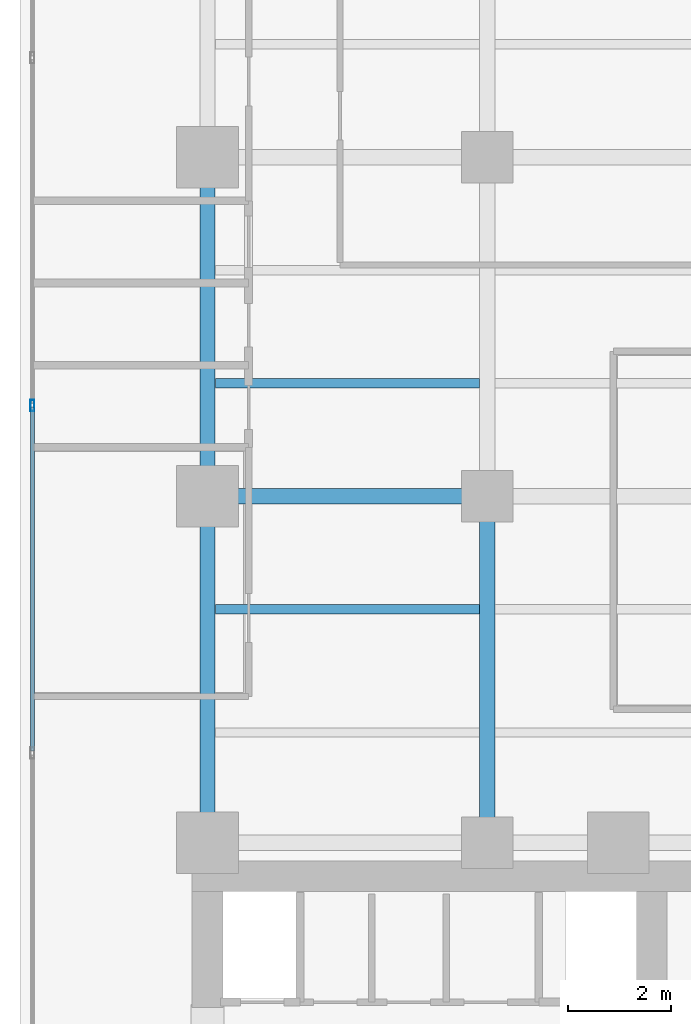
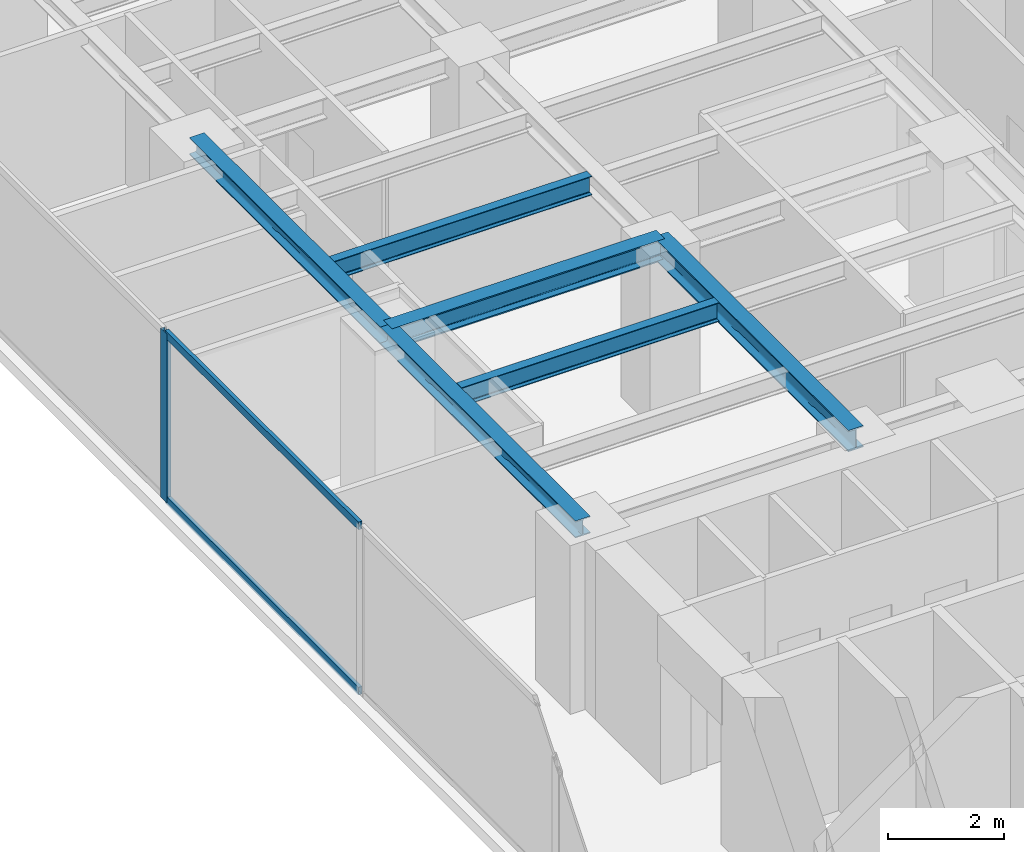
# One storey, part 7 of 24: 6 beams, 3 members, 1 element without a shape of its own.
"""IFC4 building model written with IfcOpenShell, lengths in metres."""

from ifc_helpers import new_model, si_unit, direction, frame, origin, origin_with_axes, origin_2d, place, context, subcontext, project, spatial, hollow_rectangle, i_section, extrude, source, transform, mapped, material, layer, layer_set, material_profile, profile_set, type_object, element, aggregate, save


model = new_model("IFC4")

# Units and contexts
model_context = context("Model", 3, precision=1e-05, world=origin(), true_north=direction((0.0, 1.0)))
body_context = subcontext(model_context, "Body", "Model", "MODEL_VIEW")
ifc_project = project(units=[si_unit("LENGTHUNIT", "METRE"), si_unit("AREAUNIT", "SQUARE_METRE"), si_unit("VOLUMEUNIT", "CUBIC_METRE"), si_unit("PLANEANGLEUNIT", "RADIAN"), si_unit("MASSUNIT", "GRAM", prefix="KILO")], contexts=[model_context])

# Site, building, storey
site_placement = place(None, origin())
site = spatial("IfcSite", under=ifc_project, at=site_placement, CompositionType="ELEMENT")
building_placement = place(site_placement, origin())
building = spatial("IfcBuilding", under=site, at=building_placement, Name="Kolvaren Waterfront Exchange", CompositionType="ELEMENT")
storey_placement = place(building_placement, frame((0.0, 0.0, 172.800048828125)))
storey = spatial("IfcBuildingStorey", under=building, at=storey_placement, Name="L44", CompositionType="ELEMENT", Elevation=172.800048828125)

# Beams
ifc_material_1 = material(Name="Steel S355", Category="steel")
ifc_material_profile_1 = material_profile(ifc_material_1, i_section(OverallWidth=0.300048828125, OverallDepth=0.360107421875, WebThickness=0.012451171875, FlangeThickness=0.0224609375, FilletRadius=0.027099609375, at=origin_2d()), Name="HEB360")
ifc_profile_set_1 = profile_set([ifc_material_profile_1], Name="Steel S355")
beam_type_1 = type_object("IfcBeamType", Name="STR-BM-HEB360", PredefinedType="SPANDREL", material=ifc_profile_set_1)
beam_1_placement = place(storey_placement, frame((7.449951171875, 24.449951171875, 3.3798828125), z_axis=(0.0, 1.0, 0.0), x_axis=(-1.0, 0.0, 0.0)))
element("IfcBeam", 1, at=beam_1_placement, inside=storey, type_object=beam_type_1, Name="L44 north-arm edge beam 1", PredefinedType="SPANDREL", context=body_context, shape_type="SweptSolid", body=[
    extrude(i_section(OverallWidth=0.300048828125, OverallDepth=0.360107421875, WebThickness=0.012451171875, FlangeThickness=0.0224609375, FilletRadius=0.027099609375, at=origin_2d()), origin(), (0.0, 0.0, 1.0), 6.75),
])
beam_2_placement = place(storey_placement, frame((7.449951171875, 31.199951171875, 3.3798828125), z_axis=(0.0, 1.0, 0.0), x_axis=(-1.0, 0.0, 0.0)))
element("IfcBeam", 2, at=beam_2_placement, inside=storey, type_object=beam_type_1, Name="L44 north-arm edge beam 2", PredefinedType="SPANDREL", context=body_context, shape_type="SweptSolid", body=[
    extrude(i_section(OverallWidth=0.300048828125, OverallDepth=0.360107421875, WebThickness=0.012451171875, FlangeThickness=0.0224609375, FilletRadius=0.027099609375, at=origin_2d()), origin(), (0.0, 0.0, 1.0), 6.60009765625),
])
ifc_material_profile_2 = material_profile(ifc_material_1, i_section(OverallWidth=0.300048828125, OverallDepth=0.449951171875, WebThickness=0.013916015625, FlangeThickness=0.02587890625, FilletRadius=0.027099609375, at=origin_2d()), Name="HEB450")
ifc_profile_set_2 = profile_set([ifc_material_profile_2], Name="Steel S355")
beam_type_2 = type_object("IfcBeamType", Name="STR-BM-HEB450", PredefinedType="BEAM", material=ifc_profile_set_2)
beam_3_placement = place(storey_placement, frame((7.449951171875, 31.199951171875, 3.3349609375), z_axis=(1.0, 0.0, 0.0), x_axis=(0.0, 1.0, 0.0)))
element("IfcBeam", 3, at=beam_3_placement, inside=storey, type_object=beam_type_2, Name="L44 north-arm girder 2A", PredefinedType="BEAM", context=body_context, shape_type="SweptSolid", body=[
    extrude(i_section(OverallWidth=0.300048828125, OverallDepth=0.449951171875, WebThickness=0.013916015625, FlangeThickness=0.02587890625, FilletRadius=0.027099609375, at=origin_2d()), origin(), (0.0, 0.0, 1.0), 5.449951171875),
])
beam_4_placement = place(storey_placement, frame((12.89990234375, 24.449951171875, 3.3349609375), z_axis=(0.0, 1.0, 0.0), x_axis=(-1.0, 0.0, 0.0)))
element("IfcBeam", 4, at=beam_4_placement, inside=storey, type_object=beam_type_2, Name="L44 north-arm edge beam 1", PredefinedType="BEAM", context=body_context, shape_type="SweptSolid", body=[
    extrude(i_section(OverallWidth=0.300048828125, OverallDepth=0.449951171875, WebThickness=0.013916015625, FlangeThickness=0.02587890625, FilletRadius=0.027099609375, at=origin_2d()), origin(), (0.0, 0.0, 1.0), 6.75),
])
ifc_material_profile_3 = material_profile(ifc_material_1, i_section(OverallWidth=0.179931640625, OverallDepth=0.39990234375, WebThickness=0.008544921875, FlangeThickness=0.013427734375, FilletRadius=0.02099609375, at=origin_2d()), Name="IPE400")
ifc_profile_set_3 = profile_set([ifc_material_profile_3], Name="Steel S355")
beam_type_3 = type_object("IfcBeamType", Name="STR-BM-IPE400", PredefinedType="JOIST", material=ifc_profile_set_3)
for number, where, z_axis, x_axis, name in (
    (5, (7.60205078125, 29.0, 3.35986328125), (1.0, 0.0, 0.0), (0.0, 1.0, 0.0), "L44 north-arm composite joist 2A"),
    (6, (7.60205078125, 33.39990234375, 3.35986328125), (1.0, 0.0, 0.0), (0.0, 1.0, 0.0), "L44 north-arm composite joist 3A"),
):
    element("IfcBeam", number, at=place(storey_placement, frame(where, z_axis=z_axis, x_axis=x_axis)), inside=storey, type_object=beam_type_3, Name=name, PredefinedType="JOIST", context=body_context, shape_type="SweptSolid", body=[
        extrude(i_section(OverallWidth=0.179931640625, OverallDepth=0.39990234375, WebThickness=0.008544921875, FlangeThickness=0.013427734375, FilletRadius=0.02099609375, at=origin_2d()), origin(), (0.0, 0.0, 1.0), 5.14599609375),
    ])

# Curtain wall, members
ifc_material_2 = material(Name="Anodised aluminium 6063-T6", Category="aluminium")
ifc_layer = layer(ifc_material_2, 0.219970703125, Name="Anodised aluminium 6063-T6")
ifc_layer_set = layer_set([ifc_layer], Name="Anodised aluminium 6063-T6")
curtain_wall_type = type_object("IfcCurtainWallType", Name="ARC-CW-SYS2", PredefinedType="USERDEFINED", material=ifc_layer_set)
curtain_wall_placement = place(storey_placement, origin())
curtain_wall = element("IfcCurtainWall", 7, at=curtain_wall_placement, inside=storey, type_object=curtain_wall_type, Name="L44 stick curtain wall CW2 (CW-L44-W)", ObjectType="STICK CURTAIN WALL", PredefinedType="USERDEFINED")
ifc_material_profile_4 = material_profile(ifc_material_2, hollow_rectangle(XDim=0.080078125, YDim=0.219970703125, WallThickness=0.0048828125, at=origin_2d()), Name="ALU-MUL-220x80x5")
ifc_profile_set_4 = profile_set([ifc_material_profile_4], Name="Anodised aluminium 6063-T6")
member_type_1 = type_object("IfcMemberType", Name="ARC-CWM-220", PredefinedType="MULLION", material=ifc_profile_set_4)
shared_shape_1 = source(origin_with_axes(), body_context, "Body", "SweptSolid", [
    extrude(hollow_rectangle(XDim=0.080078125, YDim=0.219970703125, WallThickness=0.0048828125, at=origin_2d()), origin(), (0.0, 0.0, 1.0), 3.56005859375),
])
member_1_placement = place(storey_placement, frame((4.0400390625, 32.966552734375, 0.0), z_axis=(0.0, 0.0, 1.0), x_axis=(-1.0, 0.0, 0.0)))
member_1 = element("IfcMember", 8, at=member_1_placement, type_object=member_type_1, Name="CW2 mullion 5", PredefinedType="MULLION", context=body_context, shape_type="MappedRepresentation", body=[
    mapped(shared_shape_1, transform((0.0, 0.0, 0.0), x_axis=(1.0, 0.0, 0.0), y_axis=(0.0, 1.0, 0.0), z_axis=(0.0, 0.0, 1.0), scale=1.0)),
])
ifc_material_profile_5 = material_profile(ifc_material_2, hollow_rectangle(XDim=0.074951171875, YDim=0.159912109375, WallThickness=0.00439453125, at=origin_2d()), Name="ALU-TRN-160x75x4.5")
ifc_profile_set_5 = profile_set([ifc_material_profile_5], Name="Anodised aluminium 6063-T6")
member_type_2 = type_object("IfcMemberType", Name="ARC-CWT-160", PredefinedType="USERDEFINED", material=ifc_profile_set_5)
shared_shape_2 = source(origin_with_axes(), body_context, "Body", "SweptSolid", [
    extrude(hollow_rectangle(XDim=0.074951171875, YDim=0.159912109375, WallThickness=0.00439453125, at=origin_2d()), origin(), (0.0, 0.0, 1.0), 6.686767578125),
])
member_2_placement = place(storey_placement, frame((4.0400390625, 26.239990234375, 0.037353515625), z_axis=(0.0, 1.0, 0.0), x_axis=(-1.0, 0.0, 0.0)))
member_2 = element("IfcMember", 9, at=member_2_placement, type_object=member_type_2, Name="CW2 transom 4.1", ObjectType="TRANSOM", PredefinedType="USERDEFINED", context=body_context, shape_type="MappedRepresentation", body=[
    mapped(shared_shape_2, transform((0.0, 0.0, 0.0), x_axis=(1.0, 0.0, 0.0), y_axis=(0.0, 1.0, 0.0), z_axis=(0.0, 0.0, 1.0), scale=1.0)),
])
member_3_placement = place(storey_placement, frame((4.0400390625, 26.239990234375, 3.5224609375), z_axis=(0.0, 1.0, 0.0), x_axis=(-1.0, 0.0, 0.0)))
member_3 = element("IfcMember", 10, at=member_3_placement, type_object=member_type_2, Name="CW2 transom 4.2", ObjectType="TRANSOM", PredefinedType="USERDEFINED", context=body_context, shape_type="MappedRepresentation", body=[
    mapped(shared_shape_2, transform((0.0, 0.0, 0.0), x_axis=(1.0, 0.0, 0.0), y_axis=(0.0, 1.0, 0.0), z_axis=(0.0, 0.0, 1.0), scale=1.0)),
])
aggregate(curtain_wall, [member_1, member_2, member_3])

save(model, "model.ifc")
